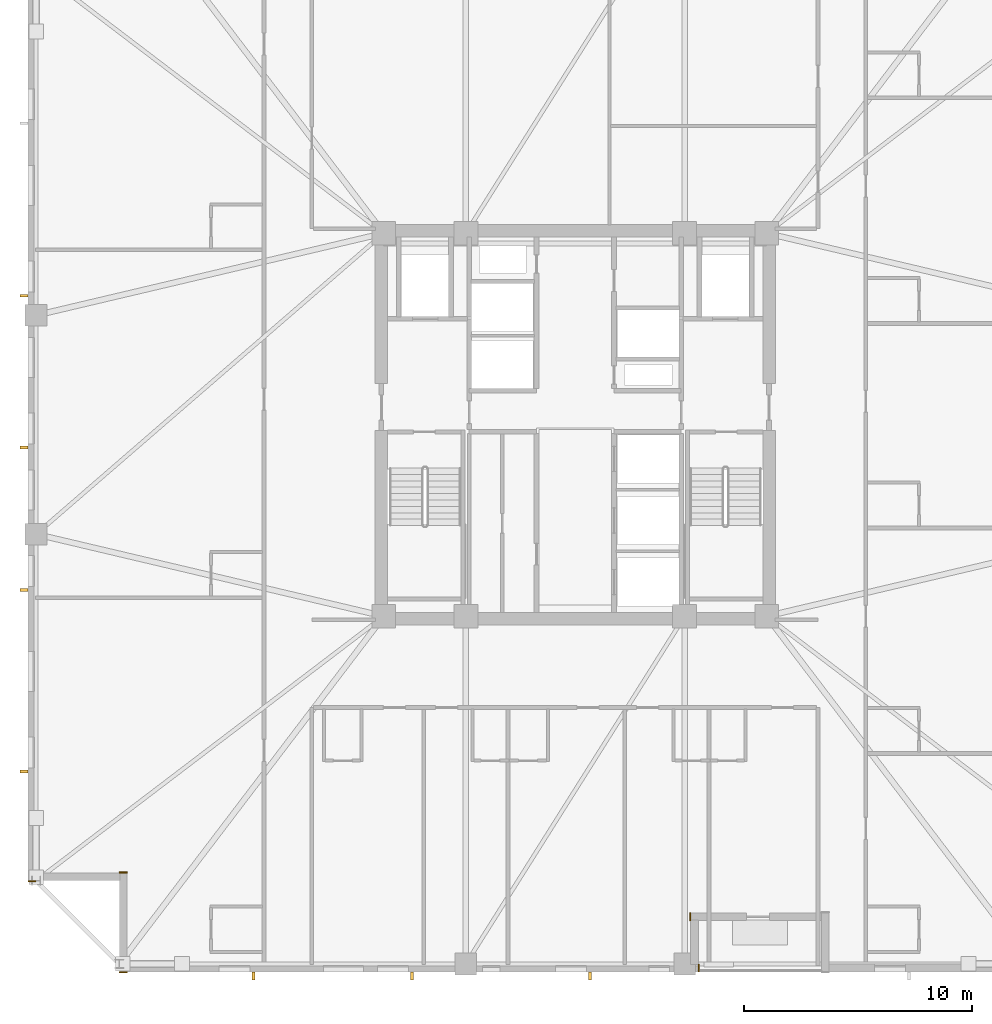
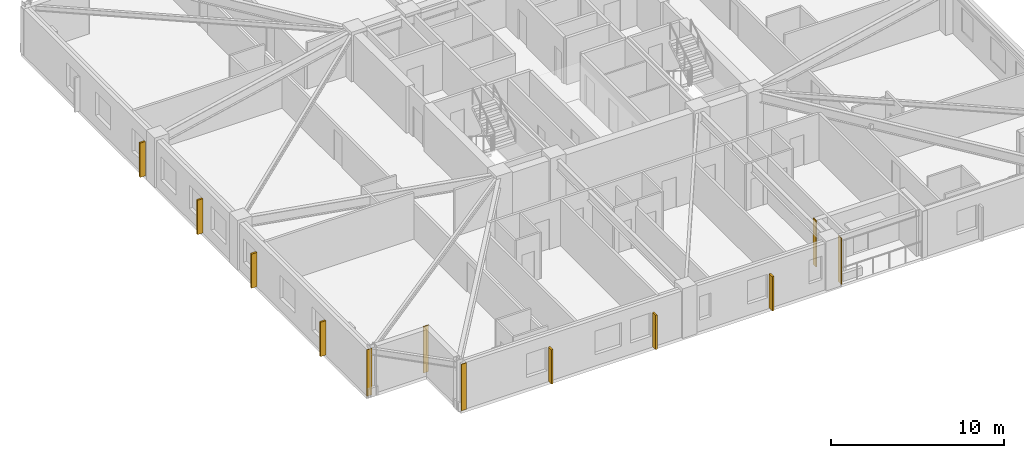
# One storey, part 7 of 11: 7 shading devices, 5 coverings.
"""IFC4 building model written with IfcOpenShell, lengths in metres."""

from ifc_helpers import new_model, si_unit, direction, frame, frame_2d, origin, origin_2d, place, context, subcontext, project, spatial, rectangle, extrude, material, layer, layer_set, type_object, element, save


model = new_model("IFC4")

# Units and contexts
model_context = context("Model", 3, precision=1e-05, world=origin(), true_north=direction((0.0, 1.0)))
body_context = subcontext(model_context, "Body", "Model", "MODEL_VIEW")
ifc_project = project(units=[si_unit("LENGTHUNIT", "METRE"), si_unit("AREAUNIT", "SQUARE_METRE"), si_unit("VOLUMEUNIT", "CUBIC_METRE"), si_unit("PLANEANGLEUNIT", "RADIAN"), si_unit("MASSUNIT", "GRAM", prefix="KILO")], contexts=[model_context])

# Site, building, storey
site_placement = place(None, origin())
site = spatial("IfcSite", under=ifc_project, at=site_placement, CompositionType="ELEMENT")
building_placement = place(site_placement, origin())
building = spatial("IfcBuilding", under=site, at=building_placement, Name="Cairnveth Concourse Tower", CompositionType="ELEMENT")
storey_placement = place(building_placement, frame((0.0, 0.0, 162.0)))
storey = spatial("IfcBuildingStorey", under=building, at=storey_placement, Name="L44", CompositionType="ELEMENT", Elevation=162.0)

# Coverings
ifc_material_1 = material(Name="Dressed Melbourne Bluestone Cladding", Category="masonry")
ifc_layer = layer(ifc_material_1, 0.050048828125)
ifc_layer_set = layer_set([ifc_layer], Name="Dressed Melbourne Bluestone Cladding")
covering_type = type_object("IfcCoveringType", Name="DRESSED BLUESTONE PLINTH CLADDING 50", PredefinedType="CLADDING", material=ifc_layer_set)
for number, where, z_axis, x_axis, name in (
    (1, (57.419921875, 15.340087890625, 0.0), (0.0, 0.0, 1.0), (0.0, -1.0, 0.0), "Melbourne Bluestone Corner Quoin L44-643"),
    (2, (32.340087890625, 14.97998046875, 0.0), (0.0, 0.0, 1.0), (-1.0, 0.0, 0.0), "Melbourne Bluestone Corner Quoin L44-644"),
    (3, (32.340087890625, 19.360107421875, 0.0), (0.0, 0.0, 1.0), (-1.0, 0.0, 0.0), "Melbourne Bluestone Corner Quoin L44-645"),
    (4, (28.340087890625, 18.97998046875, 0.0), (0.0, 0.0, 1.0), (-1.0, 0.0, 0.0), "Melbourne Bluestone Corner Quoin L44-646"),
    (5, (57.0400390625, 17.590087890625, 0.0), (0.0, 0.0, 1.0), (0.0, -1.0, 0.0), "Melbourne Bluestone Corner Quoin L44-658"),
):
    element("IfcCovering", number, at=place(storey_placement, frame(where, z_axis=z_axis, x_axis=x_axis)), inside=storey, type_object=covering_type, Name=name, PredefinedType="CLADDING", context=body_context, shape_type="SweptSolid", body=[
        extrude(rectangle(XDim=0.340087890625, YDim=0.050048828125, at=frame_2d((0.169921875, 0.0))), origin(), (0.0, 0.0, 1.0), 3.280029296875),
    ])

# Shading devices
ifc_material_2 = material(Name="Architectural Bronze Anodised Aluminium 6063-T6", Category="aluminium")
shading_device_type = type_object("IfcShadingDeviceType", Name="GOTHIC BRONZE VERTICAL LANCET FIN", PredefinedType="USERDEFINED", material=ifc_material_2)
for number, where, z_axis, x_axis, name in (
    (6, (52.646728515625, 14.824951171875, 0.030029296875), (0.0, 0.0, 1.0), (1.0, 0.0, 0.0), "Gothic Bronze Vertical Fin L44-0-1"),
    (7, (44.843994140625, 14.824951171875, 0.030029296875), (0.0, 0.0, 1.0), (1.0, 0.0, 0.0), "Gothic Bronze Vertical Fin L44-0-3"),
    (8, (37.89111328125, 14.824951171875, 0.030029296875), (0.0, 0.0, 1.0), (1.0, 0.0, 0.0), "Gothic Bronze Vertical Fin L44-0-5"),
    (9, (27.824951171875, 23.791748046875, 0.030029296875), (0.0, 0.0, 1.0), (0.0, 1.0, 0.0), "Gothic Bronze Vertical Fin L44-3-1"),
    (10, (27.824951171875, 31.748779296875, 0.030029296875), (0.0, 0.0, 1.0), (0.0, 1.0, 0.0), "Gothic Bronze Vertical Fin L44-3-3"),
    (11, (27.824951171875, 38.006103515625, 0.030029296875), (0.0, 0.0, 1.0), (0.0, 1.0, 0.0), "Gothic Bronze Vertical Fin L44-3-5"),
    (12, (27.824951171875, 44.6630859375, 0.030029296875), (0.0, 0.0, 1.0), (0.0, 1.0, 0.0), "Gothic Bronze Vertical Fin L44-3-7"),
):
    element("IfcShadingDevice", number, at=place(storey_placement, frame(where, z_axis=z_axis, x_axis=x_axis)), inside=storey, type_object=shading_device_type, Name=name, ObjectType="VERTICAL FIN", PredefinedType="USERDEFINED", context=body_context, shape_type="SweptSolid", body=[
        extrude(rectangle(XDim=0.1201171875, YDim=0.360107421875, at=origin_2d()), origin(), (0.0, 0.0, 1.0), 2.419921875),
    ])

save(model, "model.ifc")
